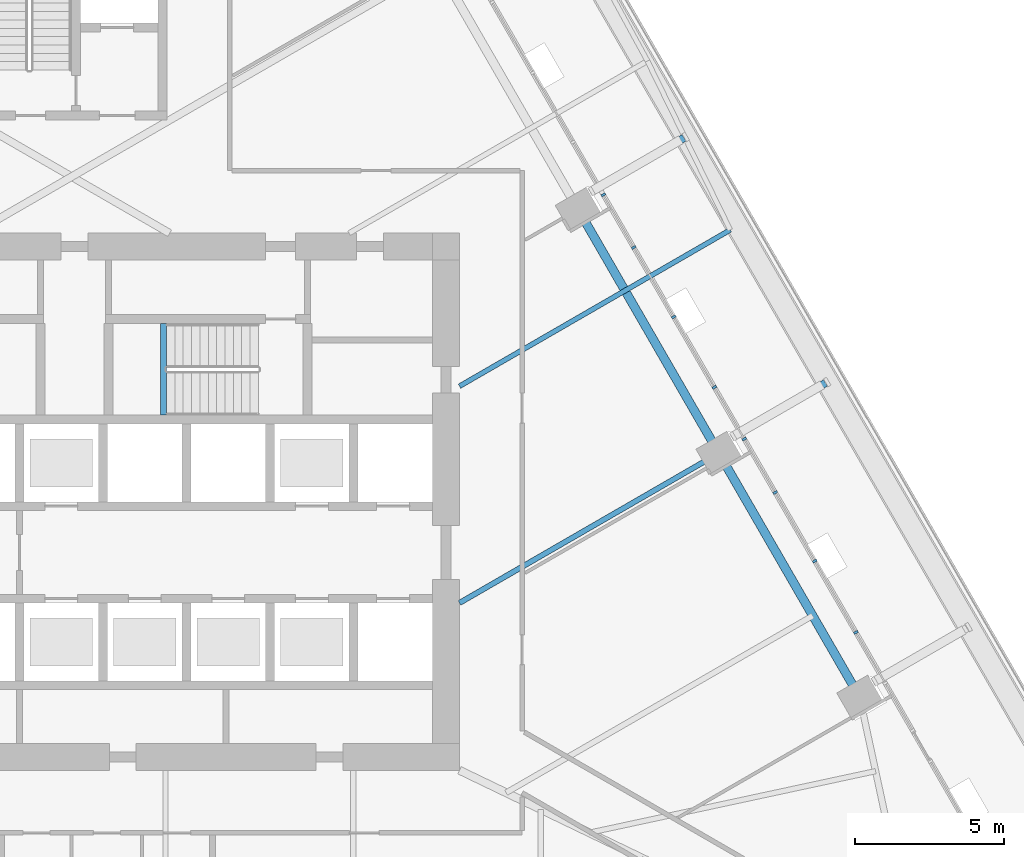
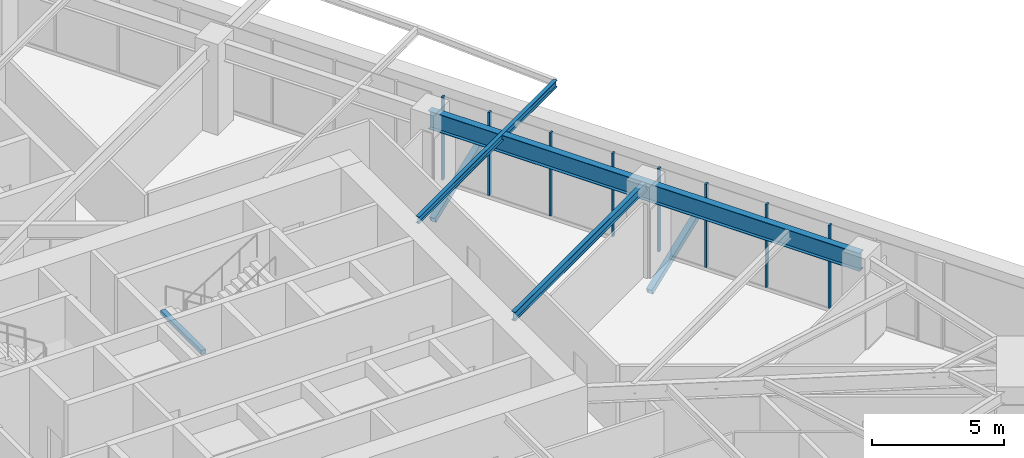
# One storey, part 7 of 29: 10 members, 4 beams, 1 element without a shape of its own.
"""IFC4 building model written with IfcOpenShell, lengths in metres."""

from ifc_helpers import new_model, si_unit, direction, frame, origin, origin_2d, place, context, subcontext, project, spatial, rectangle, hollow_rectangle, i_section, extrude, material, layer, layer_set, material_profile, profile_set, type_object, element, aggregate, save


model = new_model("IFC4")

# Units and contexts
model_context = context("Model", 3, precision=1e-05, world=origin(), true_north=direction((0.0, 1.0)))
body_context = subcontext(model_context, "Body", "Model", "MODEL_VIEW")
ifc_project = project(units=[si_unit("LENGTHUNIT", "METRE"), si_unit("AREAUNIT", "SQUARE_METRE"), si_unit("VOLUMEUNIT", "CUBIC_METRE"), si_unit("PLANEANGLEUNIT", "RADIAN"), si_unit("MASSUNIT", "GRAM", prefix="KILO")], contexts=[model_context])

# Site, building, storey
site_placement = place(None, origin())
site = spatial("IfcSite", under=ifc_project, at=site_placement, CompositionType="ELEMENT")
building_placement = place(site_placement, origin())
building = spatial("IfcBuilding", under=site, at=building_placement, Name="Firuza Gate Tower and Library", CompositionType="ELEMENT")
storey_placement = place(building_placement, frame((0.0, 0.0, 82.0)))
storey = spatial("IfcBuildingStorey", under=building, at=storey_placement, Name="L18", CompositionType="ELEMENT", Elevation=82.0)

# Curtain wall, members
ifc_material_1 = material(Name="Aluminium 6063-T6", Category="aluminium")
ifc_layer = layer(ifc_material_1, 0.14990234375)
ifc_layer_set = layer_set([ifc_layer], Name="Unitised curtain wall, offices")
curtain_wall_type = type_object("IfcCurtainWallType", Name="Unitised curtain wall, offices", PredefinedType="NOTDEFINED", material=ifc_layer_set)
curtain_wall_placement = place(storey_placement, origin())
curtain_wall = element("IfcCurtainWall", 1, at=curtain_wall_placement, inside=storey, type_object=curtain_wall_type, Name="CW1 L18 E face", PredefinedType="NOTDEFINED")
ifc_material_2 = material(Name="Aluminium 6063-T6", Category="aluminium")
ifc_material_profile_1 = material_profile(ifc_material_2, rectangle(XDim=0.14990234375, YDim=0.080078125, at=origin_2d()))
ifc_profile_set_1 = profile_set([ifc_material_profile_1], Name="Aluminium 6063-T6")
member_type_1 = type_object("IfcMemberType", Name="Curtain wall mullion 80x150", PredefinedType="MULLION", material=ifc_profile_set_1)
member_1_placement = place(storey_placement, frame((99.906982421875, 73.01123046875, 0.14990234375), z_axis=(0.0, 0.0, 1.0), x_axis=(-0.866025403784, -0.5, 0.0)))
member_1 = element("IfcMember", 2, at=member_1_placement, type_object=member_type_1, Name="Mullion", PredefinedType="MULLION", context=body_context, shape_type="SweptSolid", body=[
    extrude(rectangle(XDim=0.14990234375, YDim=0.080078125, at=origin_2d()), origin(), (0.0, 0.0, 1.0), 3.85009765625),
])
member_2_placement = place(storey_placement, frame((97.54443359375, 77.103515625, 0.14990234375), z_axis=(0.0, 0.0, 1.0), x_axis=(-0.866025403784, -0.5, 0.0)))
member_2 = element("IfcMember", 3, at=member_2_placement, type_object=member_type_1, Name="Mullion", PredefinedType="MULLION", context=body_context, shape_type="SweptSolid", body=[
    extrude(rectangle(XDim=0.14990234375, YDim=0.080078125, at=origin_2d()), origin(), (0.0, 0.0, 1.0), 3.85009765625),
])
member_3_placement = place(storey_placement, frame((95.181884765625, 81.19580078125, 0.14990234375), z_axis=(0.0, 0.0, 1.0), x_axis=(-0.866025403784, -0.5, 0.0)))
member_3 = element("IfcMember", 4, at=member_3_placement, type_object=member_type_1, Name="Mullion", PredefinedType="MULLION", context=body_context, shape_type="SweptSolid", body=[
    extrude(rectangle(XDim=0.14990234375, YDim=0.080078125, at=origin_2d()), origin(), (0.0, 0.0, 1.0), 3.85009765625),
])
member_4_placement = place(storey_placement, frame((92.819091796875, 85.287841796875, 0.14990234375), z_axis=(0.0, 0.0, 1.0), x_axis=(-0.866025403784, -0.5, 0.0)))
member_4 = element("IfcMember", 5, at=member_4_placement, type_object=member_type_1, Name="Mullion", PredefinedType="MULLION", context=body_context, shape_type="SweptSolid", body=[
    extrude(rectangle(XDim=0.14990234375, YDim=0.080078125, at=origin_2d()), origin(), (0.0, 0.0, 1.0), 3.85009765625),
])
member_5_placement = place(storey_placement, frame((101.285888671875, 70.623291015625, 0.14990234375), z_axis=(0.0, 0.0, 1.0), x_axis=(-0.866025403784, -0.5, 0.0)))
member_5 = element("IfcMember", 6, at=member_5_placement, type_object=member_type_1, Name="Mullion", PredefinedType="MULLION", context=body_context, shape_type="SweptSolid", body=[
    extrude(rectangle(XDim=0.14990234375, YDim=0.080078125, at=origin_2d()), origin(), (0.0, 0.0, 1.0), 3.85009765625),
])
member_6_placement = place(storey_placement, frame((98.58056640625, 75.30908203125, 0.14990234375), z_axis=(0.0, 0.0, 1.0), x_axis=(-0.866025403784, -0.5, 0.0)))
member_6 = element("IfcMember", 7, at=member_6_placement, type_object=member_type_1, Name="Mullion", PredefinedType="MULLION", context=body_context, shape_type="SweptSolid", body=[
    extrude(rectangle(XDim=0.14990234375, YDim=0.080078125, at=origin_2d()), origin(), (0.0, 0.0, 1.0), 3.85009765625),
])
member_7_placement = place(storey_placement, frame((96.543212890625, 78.837646484375, 0.14990234375), z_axis=(0.0, 0.0, 1.0), x_axis=(-0.866025403784, -0.5, 0.0)))
member_7 = element("IfcMember", 8, at=member_7_placement, type_object=member_type_1, Name="Mullion", PredefinedType="MULLION", context=body_context, shape_type="SweptSolid", body=[
    extrude(rectangle(XDim=0.14990234375, YDim=0.080078125, at=origin_2d()), origin(), (0.0, 0.0, 1.0), 3.85009765625),
])
member_8_placement = place(storey_placement, frame((93.837890625, 83.5234375, 0.14990234375), z_axis=(0.0, 0.0, 1.0), x_axis=(-0.866025403784, -0.5, 0.0)))
member_8 = element("IfcMember", 9, at=member_8_placement, type_object=member_type_1, Name="Mullion", PredefinedType="MULLION", context=body_context, shape_type="SweptSolid", body=[
    extrude(rectangle(XDim=0.14990234375, YDim=0.080078125, at=origin_2d()), origin(), (0.0, 0.0, 1.0), 3.85009765625),
])
aggregate(curtain_wall, [member_1, member_2, member_3, member_4, member_5, member_6, member_7, member_8])

# Members
ifc_material_3 = material(Name="Steel S355", Category="steel")
ifc_material_profile_2 = material_profile(ifc_material_3, hollow_rectangle(XDim=0.25390625, YDim=0.25390625, WallThickness=0.01171875, at=origin_2d()))
ifc_profile_set_2 = profile_set([ifc_material_profile_2], Name="Steel S355")
member_type_2 = type_object("IfcMemberType", Name="HSS254x254x13 Tray strut", PredefinedType="BRACE", material=ifc_profile_set_2)
for number, where, z_axis, x_axis, name in (
    (10, (97.191162109375, 77.205810546875, -1.669921875), (0.807140949077, 0.466018027999, 0.362423351763), (-0.500012057535, 0.866018442252, 0.0), "Tray strut L18 col:L17:E2"),
    (11, (92.448486328125, 85.420166015625, -1.669921875), (0.807140949077, 0.466018027999, 0.362423351763), (-0.500012057535, 0.866018442252, 0.0), "Tray strut L18 col:L17:E3"),
):
    element("IfcMember", number, at=place(storey_placement, frame(where, z_axis=z_axis, x_axis=x_axis)), inside=storey, type_object=member_type_2, Name=name, PredefinedType="BRACE", context=body_context, shape_type="SweptSolid", body=[
        extrude(hollow_rectangle(XDim=0.25390625, YDim=0.25390625, WallThickness=0.01171875, at=origin_2d()), origin(), (0.0, 0.0, 1.0), 3.862548828125),
    ])

# Beams
ifc_material_4 = material(Name="Concrete C35/45", Category="concrete")
ifc_material_profile_3 = material_profile(ifc_material_4, rectangle(XDim=0.199951171875, YDim=0.199951171875, at=origin_2d()))
ifc_profile_set_3 = profile_set([ifc_material_profile_3], Name="Concrete C35/45")
beam_type_1 = type_object("IfcBeamType", Name="Stair landing bearer 200x200", PredefinedType="BEAM", material=ifc_profile_set_3)
beam_1_placement = place(storey_placement, frame((78.080078125, 80.97998046875, 1.800048828125), z_axis=(0.0, -1.0, 0.0), x_axis=(1.0, 0.0, 0.0)))
element("IfcBeam", 12, at=beam_1_placement, inside=storey, type_object=beam_type_1, Name="Landing bearer L18 stair 2", PredefinedType="BEAM", context=body_context, shape_type="SweptSolid", body=[
    extrude(rectangle(XDim=0.199951171875, YDim=0.199951171875, at=origin_2d()), origin(), (0.0, 0.0, 1.0), 3.080078125),
])
ifc_material_5 = material(Name="Steel S355", Category="steel")
ifc_material_profile_4 = material_profile(ifc_material_5, i_section(OverallWidth=0.1650390625, OverallDepth=0.31005859375, WebThickness=0.005859375, FlangeThickness=0.009765625, at=origin_2d()))
ifc_profile_set_4 = profile_set([ifc_material_profile_4], Name="Steel S355")
beam_type_2 = type_object("IfcBeamType", Name="W310x39 Floor beam", PredefinedType="JOIST", material=ifc_profile_set_4)
beam_2_placement = place(storey_placement, frame((97.072509765625, 84.111572265625, 3.844970703125), z_axis=(-0.866024529413, -0.500001514452, 0.0), x_axis=(0.500001514452, -0.866024529413, 0.0)))
element("IfcBeam", 13, at=beam_2_placement, inside=storey, type_object=beam_type_2, Name="Floor beam L18 s52", PredefinedType="JOIST", context=body_context, shape_type="SweptSolid", body=[
    extrude(i_section(OverallWidth=0.1650390625, OverallDepth=0.31005859375, WebThickness=0.005859375, FlangeThickness=0.009765625, at=origin_2d()), origin(), (0.0, 0.0, 1.0), 10.47607421875),
])
ifc_material_6 = material(Name="Steel S355", Category="steel")
ifc_material_profile_5 = material_profile(ifc_material_6, i_section(OverallWidth=0.177978515625, OverallDepth=0.406982421875, WebThickness=0.0078125, FlangeThickness=0.0126953125, at=origin_2d()))
ifc_profile_set_5 = profile_set([ifc_material_profile_5], Name="Steel S355")
beam_type_3 = type_object("IfcBeamType", Name="W410x60 Floor beam", PredefinedType="JOIST", material=ifc_profile_set_5)
beam_3_placement = place(storey_placement, frame((96.69287109375, 76.62841796875, 3.79638671875), z_axis=(-0.866026811742, -0.499997561338, 0.0), x_axis=(0.499997561338, -0.866026811742, 0.0)))
element("IfcBeam", 14, at=beam_3_placement, inside=storey, type_object=beam_type_3, Name="Floor beam L18 s51", PredefinedType="JOIST", context=body_context, shape_type="SweptSolid", body=[
    extrude(i_section(OverallWidth=0.177978515625, OverallDepth=0.406982421875, WebThickness=0.0078125, FlangeThickness=0.0126953125, at=origin_2d()), origin(), (0.0, 0.0, 1.0), 10.03759765625),
])
ifc_material_7 = material(Name="Steel S355", Category="steel")
ifc_material_profile_6 = material_profile(ifc_material_7, i_section(OverallWidth=0.2919921875, OverallDepth=0.8349609375, WebThickness=0.013916015625, FlangeThickness=0.018798828125, at=origin_2d()))
ifc_profile_set_6 = profile_set([ifc_material_profile_6], Name="Steel S355")
beam_type_4 = type_object("IfcBeamType", Name="W840x176 Edge beam", PredefinedType="SPANDREL", material=ifc_profile_set_6)
beam_4_placement = place(storey_placement, frame((101.410888671875, 68.45654296875, 3.58251953125), z_axis=(-0.499998676387, 0.866026167971, 0.0), x_axis=(-0.866026167971, -0.499998676387, 0.0)))
element("IfcBeam", 15, at=beam_4_placement, inside=storey, type_object=beam_type_4, Name="Edge beam L18 e50", PredefinedType="SPANDREL", context=body_context, shape_type="SweptSolid", body=[
    extrude(i_section(OverallWidth=0.2919921875, OverallDepth=0.8349609375, WebThickness=0.013916015625, FlangeThickness=0.018798828125, at=origin_2d()), origin(), (0.0, 0.0, 1.0), 18.8720703125),
])

save(model, "model.ifc")
